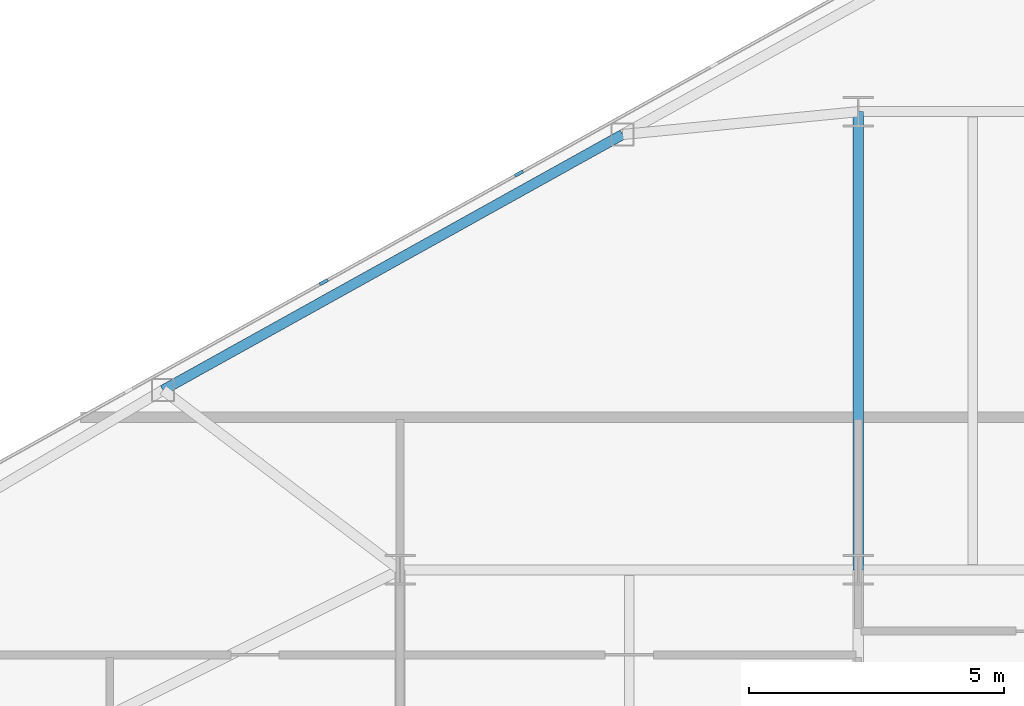
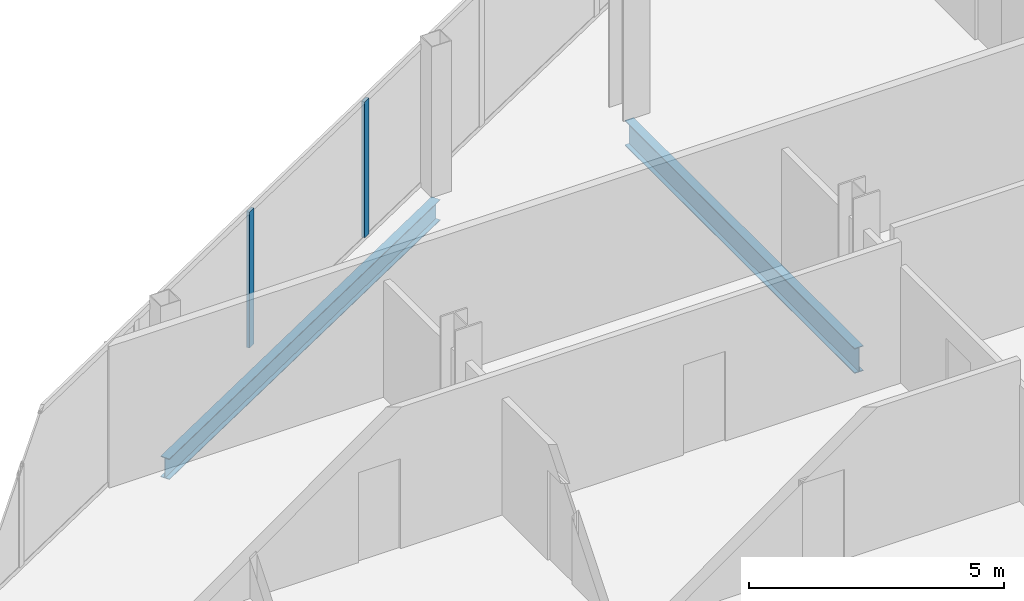
# One storey, part 8 of 26: 2 beams, 2 members, 1 element without a shape of its own.
"""IFC4 building model written with IfcOpenShell, lengths in metres."""

from ifc_helpers import new_model, si_unit, direction, frame, origin, origin_2d, place, context, subcontext, project, spatial, rectangle, i_section, extrude, source, transform, mapped, material, layer, layer_set, material_profile, profile_set, type_object, type_shapes, element, aggregate, save


model = new_model("IFC4")

# Units and contexts
model_context = context("Model", 3, precision=1e-05, world=origin(), true_north=direction((0.0, 1.0)))
body_context = subcontext(model_context, "Body", "Model", "MODEL_VIEW")
ifc_project = project(units=[si_unit("LENGTHUNIT", "METRE"), si_unit("AREAUNIT", "SQUARE_METRE"), si_unit("VOLUMEUNIT", "CUBIC_METRE"), si_unit("PLANEANGLEUNIT", "RADIAN"), si_unit("MASSUNIT", "GRAM", prefix="KILO")], contexts=[model_context])

# Site, building, storey
site_placement = place(None, origin())
site = spatial("IfcSite", under=ifc_project, at=site_placement, CompositionType="ELEMENT")
building_placement = place(site_placement, origin())
building = spatial("IfcBuilding", under=site, at=building_placement, Name="Seokmaru Belvedere", CompositionType="ELEMENT")
storey_placement = place(building_placement, frame((0.0, 0.0, 181.5)))
storey = spatial("IfcBuildingStorey", under=building, at=storey_placement, Name="L48", CompositionType="ELEMENT", Elevation=181.5)

# Beams
ifc_material_1 = material(Name="Steel SM355 (355 MPa)", Category="steel")
ifc_material_profile_1 = material_profile(ifc_material_1, i_section(OverallWidth=0.199951171875, OverallDepth=0.60009765625, WebThickness=0.010986328125, FlangeThickness=0.01708984375, at=origin_2d()), Name="H-600x200x11x17")
ifc_profile_set_1 = profile_set([ifc_material_profile_1], Name="Steel SM355 (355 MPa)")
beam_type_1 = type_object("IfcBeamType", Name="Primary Floor Girder H-600", PredefinedType="BEAM", material=ifc_profile_set_1)
shared_shape_1 = source(origin(), body_context, "Body", "SweptSolid", [
    extrude(i_section(OverallWidth=0.199951171875, OverallDepth=0.60009765625, WebThickness=0.010986328125, FlangeThickness=0.01708984375, at=origin_2d()), origin(), (0.0, 0.0, 1.0), 9.0),
])
type_shapes(beam_type_1, [shared_shape_1])
beam_1_placement = place(storey_placement, frame((-45.5, 4.5, -0.52001953125), z_axis=(0.0, 1.0, 0.0), x_axis=(-1.0, 0.0, 0.0)))
element("IfcBeam", 1, at=beam_1_placement, inside=storey, type_object=beam_type_1, Name="L48 W Interior Grid Girder 3", PredefinedType="BEAM", context=body_context, shape_type="MappedRepresentation", body=[
    mapped(shared_shape_1, transform((0.0, 0.0, 0.0), scale=1.0)),
])
ifc_material_profile_2 = material_profile(ifc_material_1, i_section(OverallWidth=0.199951171875, OverallDepth=0.5, WebThickness=0.010009765625, FlangeThickness=0.01611328125, at=origin_2d()), Name="H-500x200x10x16")
ifc_profile_set_2 = profile_set([ifc_material_profile_2], Name="Steel SM355 (355 MPa)")
beam_type_2 = type_object("IfcBeamType", Name="Perimeter Spandrel Beam H-500", PredefinedType="SPANDREL", material=ifc_profile_set_2)
shared_shape_2 = source(origin(), body_context, "Body", "SweptSolid", [
    extrude(i_section(OverallWidth=0.199951171875, OverallDepth=0.5, WebThickness=0.010009765625, FlangeThickness=0.01611328125, at=origin_2d()), origin(), (0.0, 0.0, 1.0), 10.327392578125),
])
type_shapes(beam_type_2, [shared_shape_2])
beam_2_placement = place(storey_placement, frame((-50.129150390625, 13.051025390625, -0.469970703125), z_axis=(-0.873934162361, -0.48604431882, 0.0), x_axis=(0.48604431882, -0.873934162361, 0.0)))
element("IfcBeam", 2, at=beam_2_placement, inside=storey, type_object=beam_type_2, Name="L48 W Faceted Flank Spandrel N-3", PredefinedType="SPANDREL", context=body_context, shape_type="MappedRepresentation", body=[
    mapped(shared_shape_2, transform((0.0, 0.0, 0.0), scale=1.0)),
])

# Curtain wall, members
ifc_material_2 = material(Name="Bronze Triple Insulating Glass", Category="glass")
ifc_layer = layer(ifc_material_2, 0.179931640625)
ifc_layer_set = layer_set([ifc_layer], Name="Bronze Triple Insulating Glass")
curtain_wall_type = type_object("IfcCurtainWallType", Name="High-Rise Wind-Corner Curtain Wall System CW-5", PredefinedType="NOTDEFINED", material=ifc_layer_set)
curtain_wall_placement = place(storey_placement, origin())
curtain_wall = element("IfcCurtainWall", 3, at=curtain_wall_placement, inside=storey, type_object=curtain_wall_type, Name="L48 Curtain Wall WF3", PredefinedType="NOTDEFINED")
ifc_material_3 = material(Name="Anodised Bronze Aluminium", Category="aluminium")
ifc_material_profile_3 = material_profile(ifc_material_3, rectangle(XDim=0.06494140625, YDim=0.179931640625, at=origin_2d()), Name="CW-M-65x180")
ifc_profile_set_3 = profile_set([ifc_material_profile_3], Name="Anodised Bronze Aluminium")
member_type = type_object("IfcMemberType", Name="Bronze Unitised Mullion 65x180", PredefinedType="MULLION", material=ifc_profile_set_3)
shared_shape_3 = source(origin(), body_context, "Body", "SweptSolid", [
    extrude(rectangle(XDim=0.06494140625, YDim=0.179931640625, at=origin_2d()), origin(), (0.0, 0.0, 1.0), 3.25),
])
type_shapes(member_type, [shared_shape_3])
member_1_placement = place(storey_placement, frame((-52.166015625, 12.2841796875, 0.06494140625), z_axis=(0.0, 0.0, 1.0), x_axis=(0.486047125147, -0.873932601598, 0.0)))
member_1 = element("IfcMember", 4, at=member_1_placement, type_object=member_type, Name="CW:L48:WF3 Mullion 6", PredefinedType="MULLION", context=body_context, shape_type="MappedRepresentation", body=[
    mapped(shared_shape_3, transform((0.0, 0.0, 0.0), scale=1.0)),
])
member_2_placement = place(storey_placement, frame((-55.998291015625, 10.153076171875, 0.06494140625), z_axis=(0.0, 0.0, 1.0), x_axis=(0.486047125147, -0.873932601598, 0.0)))
member_2 = element("IfcMember", 5, at=member_2_placement, type_object=member_type, Name="CW:L48:WF3 Mullion 7", PredefinedType="MULLION", context=body_context, shape_type="MappedRepresentation", body=[
    mapped(shared_shape_3, transform((0.0, 0.0, 0.0), scale=1.0)),
])
aggregate(curtain_wall, [member_1, member_2])

save(model, "model.ifc")
